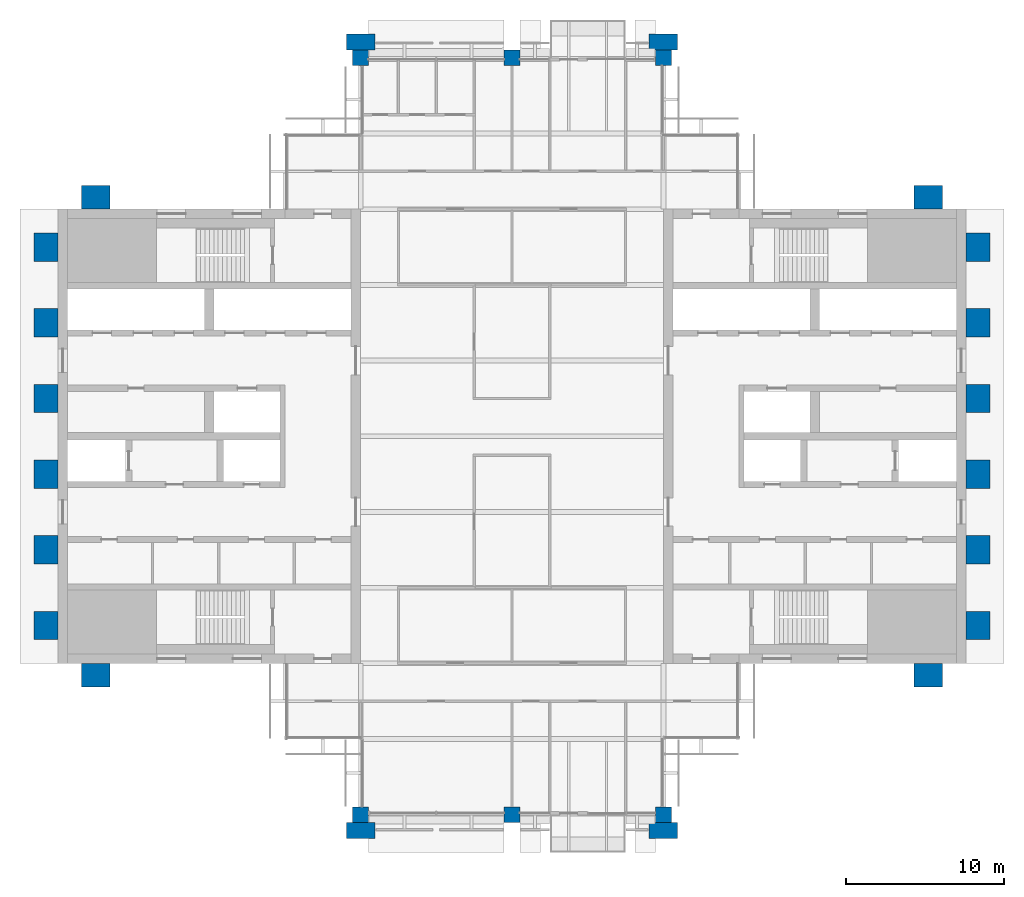
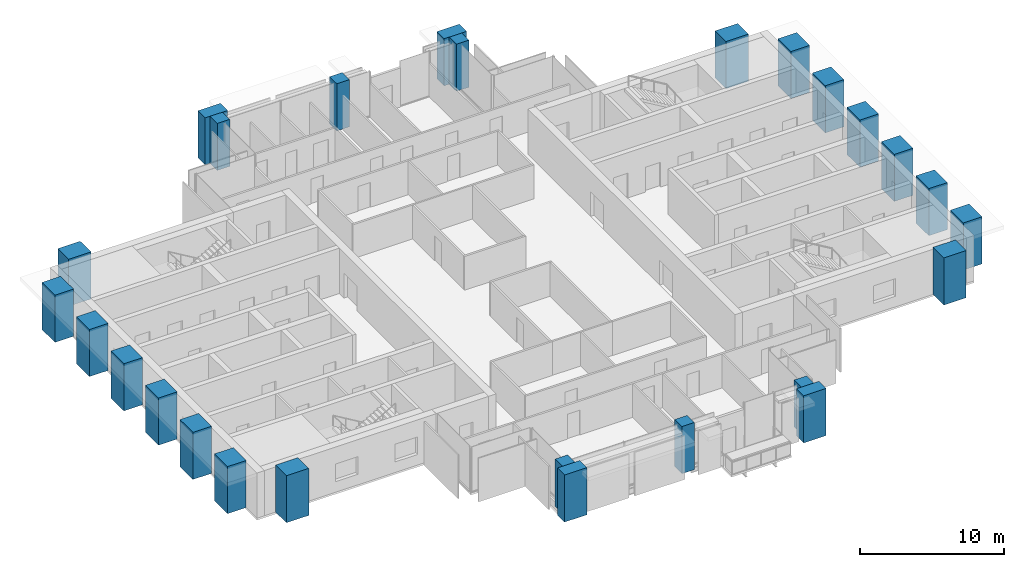
# One storey, part 1 of 13: 26 columns.
"""IFC4 building model written with IfcOpenShell, lengths in metres."""

from ifc_helpers import new_model, si_unit, direction, frame, origin, origin_2d, place, context, subcontext, project, spatial, rectangle, extrude, material, material_profile, profile_set, type_object, element, save


model = new_model("IFC4")

# Units and contexts
model_context = context("Model", 3, precision=1e-05, world=origin(), true_north=direction((0.0, 1.0)))
body_context = subcontext(model_context, "Body", "Model", "MODEL_VIEW")
ifc_project = project(units=[si_unit("LENGTHUNIT", "METRE"), si_unit("AREAUNIT", "SQUARE_METRE"), si_unit("VOLUMEUNIT", "CUBIC_METRE"), si_unit("PLANEANGLEUNIT", "RADIAN"), si_unit("MASSUNIT", "GRAM", prefix="KILO")], contexts=[model_context])

# Site, building, storey
site_placement = place(None, origin())
site = spatial("IfcSite", under=ifc_project, at=site_placement, CompositionType="ELEMENT")
building_placement = place(site_placement, origin())
building = spatial("IfcBuilding", under=site, at=building_placement, Name="Baori Bourse Tower", CompositionType="ELEMENT")
storey_placement = place(building_placement, frame((0.0, 0.0, 302.300048828125)))
storey = spatial("IfcBuildingStorey", under=building, at=storey_placement, Name="L66", CompositionType="ELEMENT", Elevation=302.300048828125)

# Columns
ifc_material_1 = material(Name="Concrete f'c 60 MPa", Category="concrete")
ifc_material_profile_1 = material_profile(ifc_material_1, rectangle(XDim=1.800048828125, YDim=1.0, at=origin_2d()), Name="RC 1800x1000")
ifc_profile_set_1 = profile_set([ifc_material_profile_1], Name="Concrete f'c 60 MPa")
column_type_1 = type_object("IfcColumnType", Name="FN3 Brick pilaster 1800x1000", PredefinedType="PILASTER", material=ifc_profile_set_1)
for number, where, z_axis, x_axis, name in (
    (1, (19.199951171875, -1.0, 0.0), (0.0, 0.0, 1.0), (1.0, 0.0, 0.0), "Brick pilaster L66 17"),
    (2, (38.39990234375, -1.0, 0.0), (0.0, 0.0, 1.0), (1.0, 0.0, 0.0), "Brick pilaster L66 18"),
    (3, (19.199951171875, 49.0, 0.0), (0.0, 0.0, 1.0), (1.0, 0.0, 0.0), "Brick pilaster L66 19"),
    (4, (38.39990234375, 49.0, 0.0), (0.0, 0.0, 1.0), (1.0, 0.0, 0.0), "Brick pilaster L66 20"),
):
    element("IfcColumn", number, at=place(storey_placement, frame(where, z_axis=z_axis, x_axis=x_axis)), inside=storey, type_object=column_type_1, Name=name, PredefinedType="PILASTER", context=body_context, shape_type="SweptSolid", body=[
        extrude(rectangle(XDim=1.800048828125, YDim=1.0, at=origin_2d()), origin(), (0.0, 0.0, 1.0), 4.0),
    ])
ifc_material_2 = material(Name="Concrete f'c 60 MPa", Category="concrete")
ifc_material_profile_2 = material_profile(ifc_material_2, rectangle(XDim=1.800048828125, YDim=1.5, at=origin_2d()), Name="RC 1800x1500")
ifc_profile_set_2 = profile_set([ifc_material_profile_2], Name="Concrete f'c 60 MPa")
column_type_2 = type_object("IfcColumnType", Name="FN4 Brick flank pilaster 1800x1500", PredefinedType="PILASTER", material=ifc_profile_set_2)
for number, where, z_axis, x_axis, name in (
    (5, (55.199951171875, 8.85009765625, 0.0), (0.0, 0.0, 1.0), (1.0, 0.0, 0.0), "Brick pilaster L66 1"),
    (6, (58.35009765625, 12.0, 0.0), (0.0, 0.0, 1.0), (0.0, 1.0, 0.0), "Brick pilaster L66 2"),
    (7, (58.35009765625, 16.800048828125, 0.0), (0.0, 0.0, 1.0), (0.0, 1.0, 0.0), "Brick pilaster L66 3"),
    (8, (58.35009765625, 21.60009765625, 0.0), (0.0, 0.0, 1.0), (0.0, 1.0, 0.0), "Brick pilaster L66 4"),
    (9, (58.35009765625, 26.39990234375, 0.0), (0.0, 0.0, 1.0), (0.0, 1.0, 0.0), "Brick pilaster L66 5"),
    (10, (58.35009765625, 31.199951171875, 0.0), (0.0, 0.0, 1.0), (0.0, 1.0, 0.0), "Brick pilaster L66 6"),
    (11, (58.35009765625, 36.0, 0.0), (0.0, 0.0, 1.0), (0.0, 1.0, 0.0), "Brick pilaster L66 7"),
    (12, (55.199951171875, 39.14990234375, 0.0), (0.0, 0.0, 1.0), (1.0, 0.0, 0.0), "Brick pilaster L66 8"),
    (13, (2.39990234375, 39.14990234375, 0.0), (0.0, 0.0, 1.0), (1.0, 0.0, 0.0), "Brick pilaster L66 9"),
    (14, (-0.75, 12.0, 0.0), (0.0, 0.0, 1.0), (0.0, 1.0, 0.0), "Brick pilaster L66 10"),
    (15, (-0.75, 16.800048828125, 0.0), (0.0, 0.0, 1.0), (0.0, 1.0, 0.0), "Brick pilaster L66 11"),
    (16, (-0.75, 21.60009765625, 0.0), (0.0, 0.0, 1.0), (0.0, 1.0, 0.0), "Brick pilaster L66 12"),
    (17, (-0.75, 26.39990234375, 0.0), (0.0, 0.0, 1.0), (0.0, 1.0, 0.0), "Brick pilaster L66 13"),
    (18, (-0.75, 31.199951171875, 0.0), (0.0, 0.0, 1.0), (0.0, 1.0, 0.0), "Brick pilaster L66 14"),
    (19, (-0.75, 36.0, 0.0), (0.0, 0.0, 1.0), (0.0, 1.0, 0.0), "Brick pilaster L66 15"),
    (20, (2.39990234375, 8.85009765625, 0.0), (0.0, 0.0, 1.0), (1.0, 0.0, 0.0), "Brick pilaster L66 16"),
):
    element("IfcColumn", number, at=place(storey_placement, frame(where, z_axis=z_axis, x_axis=x_axis)), inside=storey, type_object=column_type_2, Name=name, PredefinedType="PILASTER", context=body_context, shape_type="SweptSolid", body=[
        extrude(rectangle(XDim=1.800048828125, YDim=1.5, at=origin_2d()), origin(), (0.0, 0.0, 1.0), 4.0),
    ])
ifc_material_3 = material(Name="Concrete f'c 40 MPa", Category="concrete")
ifc_material_profile_3 = material_profile(ifc_material_3, rectangle(XDim=1.0, YDim=1.0, at=origin_2d()), Name="RC 1000x1000")
ifc_profile_set_3 = profile_set([ifc_material_profile_3], Name="Concrete f'c 40 MPa")
column_type_3 = type_object("IfcColumnType", Name="Perimeter column 40 RC 1000x1000", PredefinedType="COLUMN", material=ifc_profile_set_3)
for number, where, z_axis, x_axis, name in (
    (21, (19.199951171875, 0.0, 0.0), (0.0, 0.0, 1.0), (1.0, 0.0, 0.0), "Perimeter column L66"),
    (22, (28.800048828125, 0.0, 0.0), (0.0, 0.0, 1.0), (1.0, 0.0, 0.0), "Perimeter column L66"),
    (23, (38.39990234375, 0.0, 0.0), (0.0, 0.0, 1.0), (1.0, 0.0, 0.0), "Perimeter column L66"),
    (24, (19.199951171875, 48.0, 0.0), (0.0, 0.0, 1.0), (1.0, 0.0, 0.0), "Perimeter column L66"),
    (25, (28.800048828125, 48.0, 0.0), (0.0, 0.0, 1.0), (1.0, 0.0, 0.0), "Perimeter column L66"),
    (26, (38.39990234375, 48.0, 0.0), (0.0, 0.0, 1.0), (1.0, 0.0, 0.0), "Perimeter column L66"),
):
    element("IfcColumn", number, at=place(storey_placement, frame(where, z_axis=z_axis, x_axis=x_axis)), inside=storey, type_object=column_type_3, Name=name, PredefinedType="COLUMN", context=body_context, shape_type="SweptSolid", body=[
        extrude(rectangle(XDim=1.0, YDim=1.0, at=origin_2d()), origin(), (0.0, 0.0, 1.0), 4.0),
    ])

save(model, "model.ifc")
